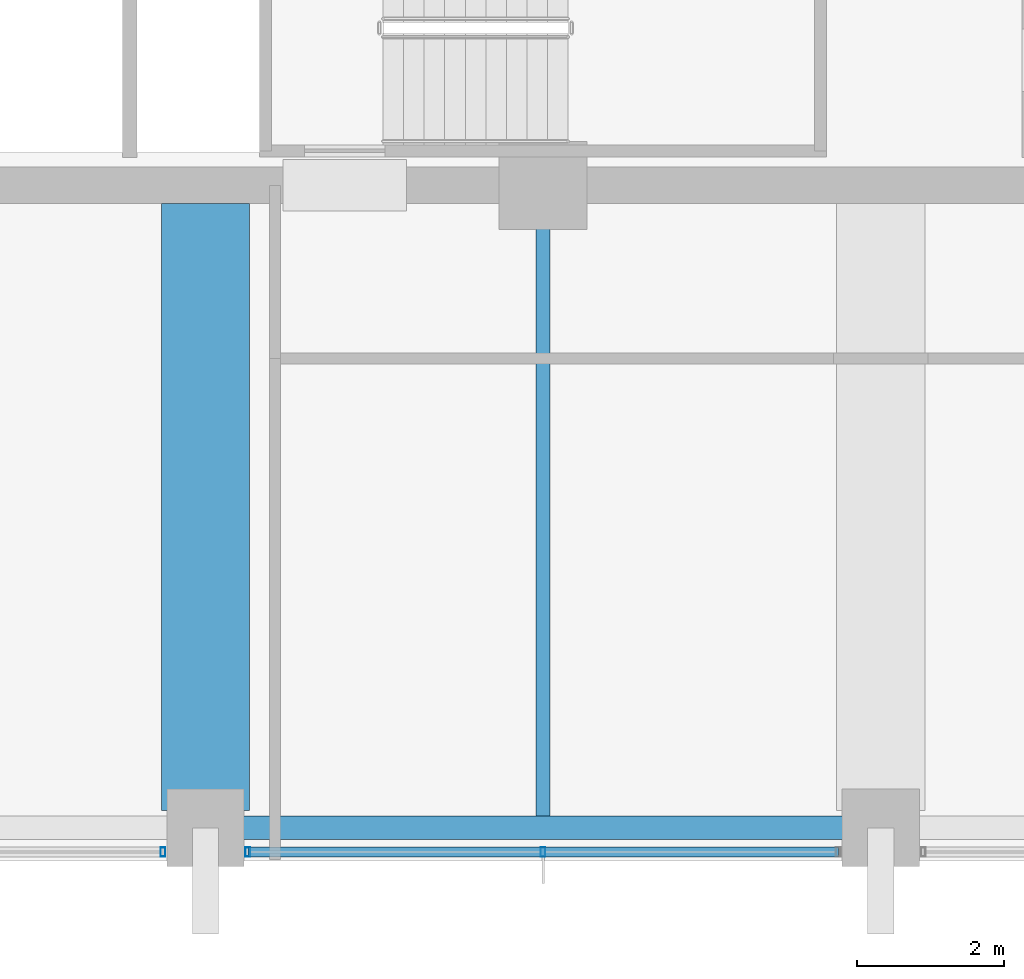
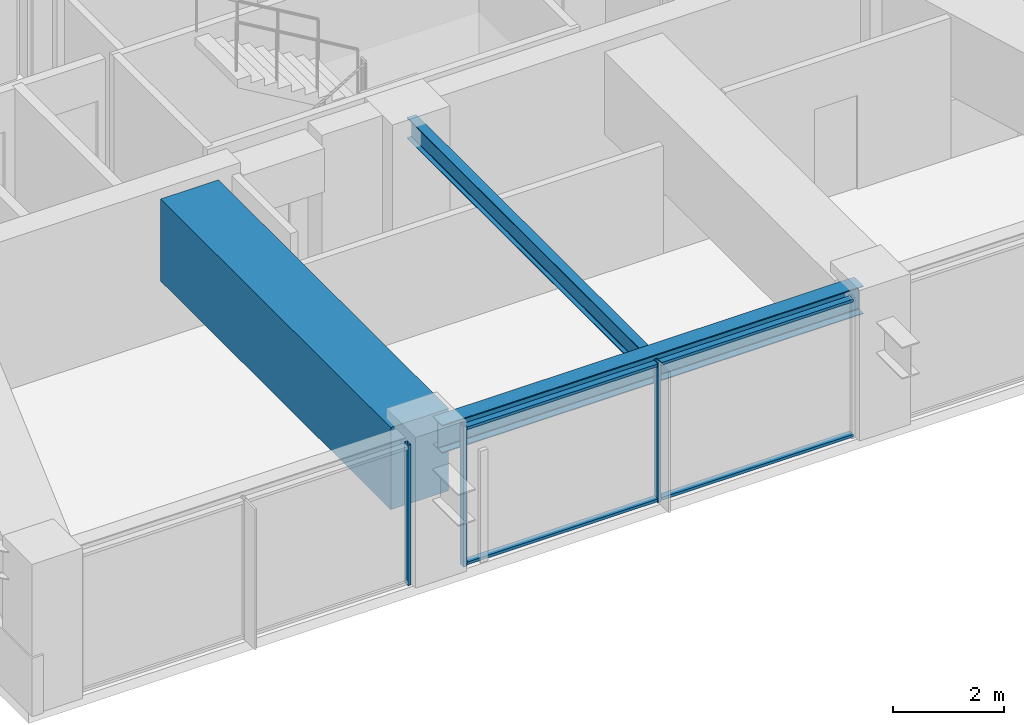
# One storey, part 6 of 36: 5 members, 3 beams, 2 elements without a shape of their own.
"""IFC4 building model written with IfcOpenShell, lengths in metres."""

from ifc_helpers import new_model, si_unit, direction, frame, origin, origin_2d, place, context, subcontext, project, spatial, rectangle, hollow_rectangle, i_section, extrude, material, material_profile, profile_set, type_object, element, aggregate, save


model = new_model("IFC4")

# Units and contexts
model_context = context("Model", 3, precision=1e-05, world=origin(), true_north=direction((0.0, 1.0)))
body_context = subcontext(model_context, "Body", "Model", "MODEL_VIEW")
ifc_project = project(units=[si_unit("LENGTHUNIT", "METRE"), si_unit("AREAUNIT", "SQUARE_METRE"), si_unit("VOLUMEUNIT", "CUBIC_METRE"), si_unit("PLANEANGLEUNIT", "RADIAN"), si_unit("MASSUNIT", "GRAM", prefix="KILO")], contexts=[model_context])

# Site, building, storey
site_placement = place(None, origin())
site = spatial("IfcSite", under=ifc_project, at=site_placement, CompositionType="ELEMENT")
building_placement = place(site_placement, origin())
building = spatial("IfcBuilding", under=site, at=building_placement, Name="Kolvaren Belvedere", CompositionType="ELEMENT")
storey_placement = place(building_placement, frame((0.0, 0.0, 108.5)))
storey = spatial("IfcBuildingStorey", under=building, at=storey_placement, Name="L31", CompositionType="ELEMENT", Elevation=108.5)

# Beams
ifc_material_1 = material(Name="Structural steel ASTM A992 Grade 50", Category="steel")
ifc_material_profile_1 = material_profile(ifc_material_1, i_section(OverallWidth=0.19091796875, OverallDepth=0.4599609375, WebThickness=0.010009765625, FlangeThickness=0.01611328125, FilletRadius=0.014892578125, at=origin_2d()), Name="W18X55")
ifc_profile_set_1 = profile_set([ifc_material_profile_1], Name="Structural steel ASTM A992 Grade 50")
beam_type_1 = type_object("IfcBeamType", Name="BM-JOIST-W18X55", PredefinedType="BEAM", material=ifc_profile_set_1)
beam_1_placement = place(storey_placement, frame((0.0, -10.14990234375, 2.85009765625), z_axis=(0.0, -1.0, 0.0), x_axis=(1.0, 0.0, 0.0)))
element("IfcBeam", 1, at=beam_1_placement, inside=storey, type_object=beam_type_1, Name="L31 South Centre Floor Beam", PredefinedType="BEAM", context=body_context, shape_type="SweptSolid", body=[
    extrude(i_section(OverallWidth=0.19091796875, OverallDepth=0.4599609375, WebThickness=0.010009765625, FlangeThickness=0.01611328125, FilletRadius=0.014892578125, at=origin_2d()), origin(), (0.0, 0.0, 1.0), 8.337646484375),
])
ifc_material_2 = material(Name="Structural steel ASTM A992 Grade 50", Category="steel")
ifc_material_profile_2 = material_profile(ifc_material_2, i_section(OverallWidth=0.324951171875, OverallDepth=0.615966796875, WebThickness=0.013916015625, FlangeThickness=0.021484375, FilletRadius=0.02001953125, at=origin_2d()), Name="W24X117")
ifc_profile_set_2 = profile_set([ifc_material_profile_2], Name="Structural steel ASTM A992 Grade 50")
beam_type_2 = type_object("IfcBeamType", Name="BM-SPAN-W24X117", PredefinedType="SPANDREL", material=ifc_profile_set_2)
beam_2_placement = place(storey_placement, frame((-4.36376953125, -18.64990234375, 2.77197265625), z_axis=(1.0, 0.0, 0.0), x_axis=(0.0, 1.0, 0.0)))
element("IfcBeam", 2, at=beam_2_placement, inside=storey, type_object=beam_type_2, Name="L31 Perimeter Spandrel S2-S3", PredefinedType="SPANDREL", context=body_context, shape_type="SweptSolid", body=[
    extrude(i_section(OverallWidth=0.324951171875, OverallDepth=0.615966796875, WebThickness=0.013916015625, FlangeThickness=0.021484375, FilletRadius=0.02001953125, at=origin_2d()), origin(), (0.0, 0.0, 1.0), 8.7275390625),
])
ifc_material_3 = material(Name="Concrete C50/60", Category="concrete")
ifc_material_profile_3 = material_profile(ifc_material_3, rectangle(XDim=1.199951171875, YDim=1.800048828125, at=origin_2d()), Name="RC 1200X1800")
ifc_profile_set_3 = profile_set([ifc_material_profile_3], Name="Concrete C50/60")
beam_type_3 = type_object("IfcBeamType", Name="BM-TG-1800", PredefinedType="BEAM", material=ifc_profile_set_3)
beam_3_placement = place(storey_placement, frame((-4.60009765625, -10.14990234375, 2.179931640625), z_axis=(0.0, -1.0, 0.0), x_axis=(1.0, 0.0, 0.0)))
element("IfcBeam", 3, at=beam_3_placement, inside=storey, type_object=beam_type_3, Name="L31 South Radial Girder M", PredefinedType="BEAM", context=body_context, shape_type="SweptSolid", body=[
    extrude(rectangle(XDim=1.199951171875, YDim=1.800048828125, at=origin_2d()), origin(), (0.0, 0.0, 1.0), 8.263916015625),
])

# Curtain wall, members
ifc_material_4 = material(Name="Anodised pale-metal aluminium AA 6063-T6", Category="aluminium")
curtain_wall_type = type_object("IfcCurtainWallType", Name="CW-Z3-WAIST", PredefinedType="NOTDEFINED", material=ifc_material_4)
curtain_wall_1_placement = place(storey_placement, origin())
curtain_wall_1 = element("IfcCurtainWall", 4, at=curtain_wall_1_placement, inside=storey, type_object=curtain_wall_type, Name="L31 Unitised Curtain Wall FCW-L31-S-B2", PredefinedType="NOTDEFINED")
ifc_material_5 = material(Name="Anodised pale-metal aluminium AA 6063-T6", Category="aluminium")
ifc_material_profile_4 = material_profile(ifc_material_5, hollow_rectangle(XDim=0.06494140625, YDim=0.1298828125, WallThickness=0.00390625, at=origin_2d()), Name="ALU-MUL-130X65")
ifc_profile_set_4 = profile_set([ifc_material_profile_4], Name="Anodised pale-metal aluminium AA 6063-T6")
member_type_1 = type_object("IfcMemberType", Name="CW-MUL-130", PredefinedType="MULLION", material=ifc_profile_set_4)
member_1_placement = place(storey_placement, frame((0.0, -18.97998046875, 0.0), z_axis=(0.0, 0.0, 1.0), x_axis=(1.0, 0.0, 0.0)))
member_1 = element("IfcMember", 5, at=member_1_placement, type_object=member_type_1, Name="FCW-L31-S-B2 Unitised Mullion 2", PredefinedType="MULLION", context=body_context, shape_type="SweptSolid", body=[
    extrude(hollow_rectangle(XDim=0.06494140625, YDim=0.1298828125, WallThickness=0.00390625, at=origin_2d()), origin(), (0.0, 0.0, 1.0), 3.080078125),
])
member_2_placement = place(storey_placement, frame((-4.0224609375, -18.97998046875, 0.0), z_axis=(0.0, 0.0, 1.0), x_axis=(1.0, 0.0, 0.0)))
member_2 = element("IfcMember", 6, at=member_2_placement, type_object=member_type_1, Name="FCW-L31-S-B2 Unitised Mullion 3", PredefinedType="MULLION", context=body_context, shape_type="SweptSolid", body=[
    extrude(hollow_rectangle(XDim=0.06494140625, YDim=0.1298828125, WallThickness=0.00390625, at=origin_2d()), origin(), (0.0, 0.0, 1.0), 3.080078125),
])

# Curtain wall, member
curtain_wall_2_placement = place(storey_placement, origin())
curtain_wall_2 = element("IfcCurtainWall", 7, at=curtain_wall_2_placement, inside=storey, type_object=curtain_wall_type, Name="L31 Unitised Curtain Wall FCW-L31-S-B3", PredefinedType="NOTDEFINED")
member_3_placement = place(storey_placement, frame((-5.177490234375, -18.97998046875, 0.0), z_axis=(0.0, 0.0, 1.0), x_axis=(1.0, 0.0, 0.0)))
member_3 = element("IfcMember", 8, at=member_3_placement, type_object=member_type_1, Name="FCW-L31-S-B3 Unitised Mullion 1", PredefinedType="MULLION", context=body_context, shape_type="SweptSolid", body=[
    extrude(hollow_rectangle(XDim=0.06494140625, YDim=0.1298828125, WallThickness=0.00390625, at=origin_2d()), origin(), (0.0, 0.0, 1.0), 3.080078125),
])
aggregate(curtain_wall_2, [member_3])

# Member
ifc_material_6 = material(Name="Anodised pale-metal aluminium AA 6063-T6", Category="aluminium")
ifc_material_profile_5 = material_profile(ifc_material_6, hollow_rectangle(XDim=0.06005859375, YDim=0.1298828125, WallThickness=0.00390625, at=origin_2d()), Name="ALU-TRN-130X60")
ifc_profile_set_5 = profile_set([ifc_material_profile_5], Name="Anodised pale-metal aluminium AA 6063-T6")
member_type_2 = type_object("IfcMemberType", Name="CW-TRN-130", PredefinedType="USERDEFINED", material=ifc_profile_set_5)
member_4_placement = place(storey_placement, frame((4.0224609375, -18.97998046875, 0.06005859375), z_axis=(-1.0, 0.0, 0.0), x_axis=(0.0, 0.0, 1.0)))
member_4 = element("IfcMember", 9, at=member_4_placement, type_object=member_type_2, Name="FCW-L31-S-B2 Sill Transom", ObjectType="TRANSOM", PredefinedType="USERDEFINED", context=body_context, shape_type="SweptSolid", body=[
    extrude(hollow_rectangle(XDim=0.06005859375, YDim=0.1298828125, WallThickness=0.00390625, at=origin_2d()), origin(), (0.0, 0.0, 1.0), 8.044921875),
])

member_5_placement = place(storey_placement, frame((4.0224609375, -18.97998046875, 3.02001953125), z_axis=(-1.0, 0.0, 0.0), x_axis=(0.0, 0.0, 1.0)))
member_5 = element("IfcMember", 10, at=member_5_placement, type_object=member_type_2, Name="FCW-L31-S-B2 Head Transom", ObjectType="TRANSOM", PredefinedType="USERDEFINED", context=body_context, shape_type="SweptSolid", body=[
    extrude(hollow_rectangle(XDim=0.06005859375, YDim=0.1298828125, WallThickness=0.00390625, at=origin_2d()), origin(), (0.0, 0.0, 1.0), 8.044921875),
])

aggregate(curtain_wall_1, [member_1, member_2, member_4, member_5])

save(model, "model.ifc")
